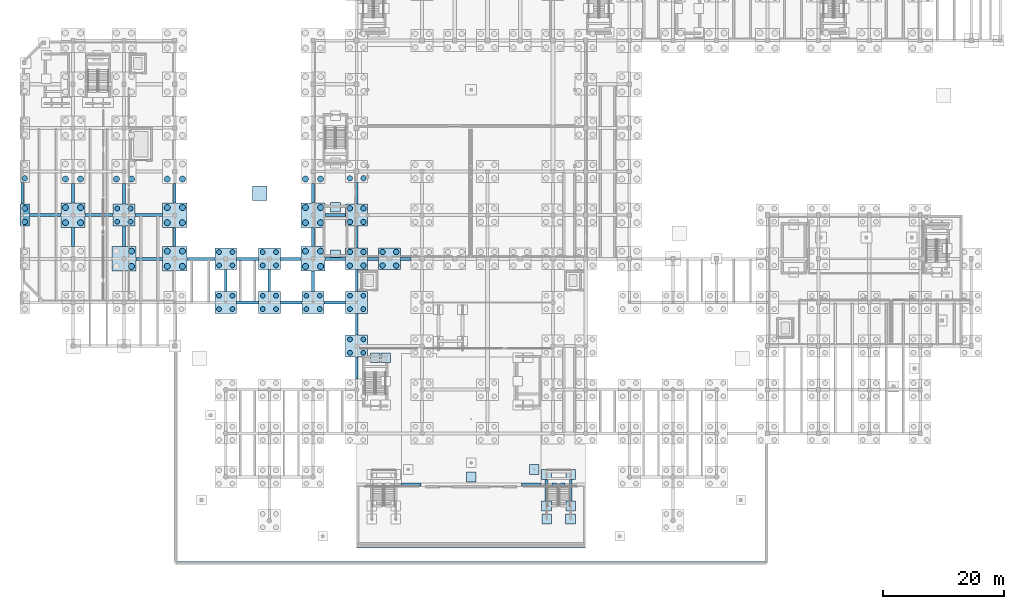
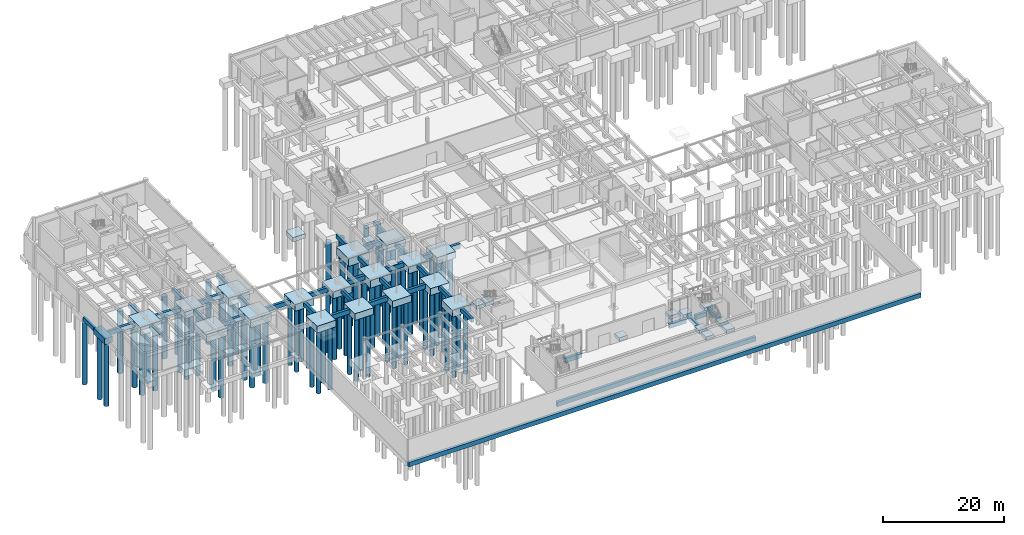
# One storey, part 2 of 46: 79 piles, 69 footings.
"""IFC4 building model written with IfcOpenShell, lengths in metres."""

from ifc_helpers import new_model, si_unit, direction, frame, origin, origin_2d, place, context, subcontext, project, spatial, rectangle, circle, extrude, material, material_profile, profile_set, type_object, element, save


model = new_model("IFC4")

# Units and contexts
model_context = context("Model", 3, precision=1e-05, world=origin(), true_north=direction((0.0, 1.0)))
body_context = subcontext(model_context, "Body", "Model", "MODEL_VIEW")
ifc_project = project(units=[si_unit("LENGTHUNIT", "METRE"), si_unit("AREAUNIT", "SQUARE_METRE"), si_unit("VOLUMEUNIT", "CUBIC_METRE"), si_unit("PLANEANGLEUNIT", "RADIAN"), si_unit("MASSUNIT", "GRAM", prefix="KILO")], contexts=[model_context])

# Site, building, storey
site_placement = place(None, origin())
site = spatial("IfcSite", under=ifc_project, at=site_placement, CompositionType="ELEMENT")
building_placement = place(site_placement, origin())
building = spatial("IfcBuilding", under=site, at=building_placement, Name="Tazoul Stagehouse", CompositionType="ELEMENT")
storey_placement = place(building_placement, frame((0.0, 0.0, -4.800048828125)))
storey = spatial("IfcBuildingStorey", under=building, at=storey_placement, Name="B1", CompositionType="ELEMENT", Elevation=-4.800048828125)

# Piles
ifc_material = material(Name="Concrete C35/45", Category="concrete")
ifc_material_profile_1 = material_profile(ifc_material, circle(Radius=0.5, at=origin_2d()), Name="BORED PILE 1000")
ifc_profile_set_1 = profile_set([ifc_material_profile_1], Name="Concrete C35/45")
pile_type_1 = type_object("IfcPileType", Name="Bored Cast-in-Place Concrete Pile D1000", PredefinedType="BORED", material=ifc_profile_set_1)
for number, where, z_axis, x_axis, name in (
    (1, (9.550048828125, 57.75, -1.449951171875), (0.0, 0.0, -1.0), (1.0, 0.0, 0.0), "Bored Pile PL-03 2/J-1"),
    (2, (12.050048828125, 57.75, -1.449951171875), (0.0, 0.0, -1.0), (1.0, 0.0, 0.0), "Bored Pile PL-03 2/J-2"),
    (3, (9.550048828125, 60.25, -1.449951171875), (0.0, 0.0, -1.0), (1.0, 0.0, 0.0), "Bored Pile PL-03 2/J-3"),
    (4, (12.050048828125, 60.25, -1.449951171875), (0.0, 0.0, -1.0), (1.0, 0.0, 0.0), "Bored Pile PL-03 2/J-4"),
    (5, (9.550048828125, 64.949951171875, -1.449951171875), (0.0, 0.0, -1.0), (1.0, 0.0, 0.0), "Bored Pile PL-03 2/K-1"),
    (6, (12.050048828125, 64.949951171875, -1.449951171875), (0.0, 0.0, -1.0), (1.0, 0.0, 0.0), "Bored Pile PL-03 2/K-2"),
    (7, (20.449951171875, 50.550048828125, -1.449951171875), (0.0, 0.0, -1.0), (1.0, 0.0, 0.0), "Bored Pile PL-03 3/H-2"),
    (8, (20.449951171875, 53.050048828125, -1.449951171875), (0.0, 0.0, -1.0), (1.0, 0.0, 0.0), "Bored Pile PL-03 3/H-4"),
    (9, (17.949951171875, 64.949951171875, -1.449951171875), (0.0, 0.0, -1.0), (1.0, 0.0, 0.0), "Bored Pile PL-03 3/K-1"),
    (10, (20.449951171875, 64.949951171875, -1.449951171875), (0.0, 0.0, -1.0), (1.0, 0.0, 0.0), "Bored Pile PL-03 3/K-2"),
    (11, (26.35009765625, 50.550048828125, -1.449951171875), (0.0, 0.0, -1.0), (1.0, 0.0, 0.0), "Bored Pile PL-03 4/H-1"),
    (12, (28.85009765625, 50.550048828125, -1.449951171875), (0.0, 0.0, -1.0), (1.0, 0.0, 0.0), "Bored Pile PL-03 4/H-2"),
    (13, (26.35009765625, 53.050048828125, -1.449951171875), (0.0, 0.0, -1.0), (1.0, 0.0, 0.0), "Bored Pile PL-03 4/H-3"),
    (14, (28.85009765625, 53.050048828125, -1.449951171875), (0.0, 0.0, -1.0), (1.0, 0.0, 0.0), "Bored Pile PL-03 4/H-4"),
    (15, (26.35009765625, 57.75, -1.449951171875), (0.0, 0.0, -1.0), (1.0, 0.0, 0.0), "Bored Pile PL-03 4/J-1"),
    (16, (28.85009765625, 57.75, -1.449951171875), (0.0, 0.0, -1.0), (1.0, 0.0, 0.0), "Bored Pile PL-03 4/J-2"),
    (17, (26.35009765625, 60.25, -1.449951171875), (0.0, 0.0, -1.0), (1.0, 0.0, 0.0), "Bored Pile PL-03 4/J-3"),
    (18, (28.85009765625, 60.25, -1.449951171875), (0.0, 0.0, -1.0), (1.0, 0.0, 0.0), "Bored Pile PL-03 4/J-4"),
    (19, (26.35009765625, 64.949951171875, -1.449951171875), (0.0, 0.0, -1.0), (1.0, 0.0, 0.0), "Bored Pile PL-03 4/K-1"),
    (20, (28.85009765625, 64.949951171875, -1.449951171875), (0.0, 0.0, -1.0), (1.0, 0.0, 0.0), "Bored Pile PL-03 4/K-2"),
    (21, (49.14990234375, 50.550048828125, -1.449951171875), (0.0, 0.0, -1.0), (1.0, 0.0, 0.0), "Bored Pile PL-03 7/H-1"),
    (22, (51.64990234375, 50.550048828125, -1.449951171875), (0.0, 0.0, -1.0), (1.0, 0.0, 0.0), "Bored Pile PL-03 7/H-2"),
    (23, (49.14990234375, 53.050048828125, -1.449951171875), (0.0, 0.0, -1.0), (1.0, 0.0, 0.0), "Bored Pile PL-03 7/H-3"),
    (24, (51.64990234375, 53.050048828125, -1.449951171875), (0.0, 0.0, -1.0), (1.0, 0.0, 0.0), "Bored Pile PL-03 7/H-4"),
    (25, (49.14990234375, 57.75, -1.449951171875), (0.0, 0.0, -1.0), (1.0, 0.0, 0.0), "Bored Pile PL-03 7/J-1"),
    (26, (51.64990234375, 57.75, -1.449951171875), (0.0, 0.0, -1.0), (1.0, 0.0, 0.0), "Bored Pile PL-03 7/J-2"),
    (27, (49.14990234375, 60.25, -1.449951171875), (0.0, 0.0, -1.0), (1.0, 0.0, 0.0), "Bored Pile PL-03 7/J-3"),
    (28, (51.64990234375, 60.25, -1.449951171875), (0.0, 0.0, -1.0), (1.0, 0.0, 0.0), "Bored Pile PL-03 7/J-4"),
    (29, (49.14990234375, 64.949951171875, -1.449951171875), (0.0, 0.0, -1.0), (1.0, 0.0, 0.0), "Bored Pile PL-03 7/K-1"),
    (30, (51.64990234375, 64.949951171875, -1.449951171875), (0.0, 0.0, -1.0), (1.0, 0.0, 0.0), "Bored Pile PL-03 7/K-2"),
):
    element("IfcPile", number, at=place(storey_placement, frame(where, z_axis=z_axis, x_axis=x_axis)), inside=storey, type_object=pile_type_1, Name=name, PredefinedType="BORED", context=body_context, shape_type="SweptSolid", body=[
        extrude(circle(Radius=0.5, at=origin_2d()), origin(), (0.0, 0.0, 1.0), 12.550048828125),
    ])
ifc_material_profile_2 = material_profile(ifc_material, circle(Radius=0.39990234375, at=origin_2d()), Name="BORED PILE 800")
ifc_profile_set_2 = profile_set([ifc_material_profile_2], Name="Concrete C35/45")
pile_type_2 = type_object("IfcPileType", Name="Bored Cast-in-Place Concrete Pile D800", PredefinedType="BORED", material=ifc_profile_set_2)
for number, where, z_axis, x_axis, name in (
    (31, (18.10009765625, 57.89990234375, -1.25), (0.0, 0.0, -1.0), (1.0, 0.0, 0.0), "Bored Pile PL-01 3/J-1"),
    (32, (20.300048828125, 57.89990234375, -1.25), (0.0, 0.0, -1.0), (1.0, 0.0, 0.0), "Bored Pile PL-01 3/J-2"),
    (33, (18.10009765625, 60.10009765625, -1.25), (0.0, 0.0, -1.0), (1.0, 0.0, 0.0), "Bored Pile PL-01 3/J-3"),
    (34, (20.300048828125, 60.10009765625, -1.25), (0.0, 0.0, -1.0), (1.0, 0.0, 0.0), "Bored Pile PL-01 3/J-4"),
    (35, (34.89990234375, 43.5, -1.25), (0.0, 0.0, -1.0), (1.0, 0.0, 0.0), "Bored Pile PL-01 5/G-1"),
    (36, (37.10009765625, 43.5, -1.25), (0.0, 0.0, -1.0), (1.0, 0.0, 0.0), "Bored Pile PL-01 5/G-2"),
    (37, (34.89990234375, 45.699951171875, -1.25), (0.0, 0.0, -1.0), (1.0, 0.0, 0.0), "Bored Pile PL-01 5/G-3"),
    (38, (37.10009765625, 45.699951171875, -1.25), (0.0, 0.0, -1.0), (1.0, 0.0, 0.0), "Bored Pile PL-01 5/G-4"),
    (39, (34.89990234375, 50.699951171875, -1.25), (0.0, 0.0, -1.0), (1.0, 0.0, 0.0), "Bored Pile PL-01 5/H-1"),
    (40, (37.10009765625, 50.699951171875, -1.25), (0.0, 0.0, -1.0), (1.0, 0.0, 0.0), "Bored Pile PL-01 5/H-2"),
    (41, (34.89990234375, 52.89990234375, -1.25), (0.0, 0.0, -1.0), (1.0, 0.0, 0.0), "Bored Pile PL-01 5/H-3"),
    (42, (37.10009765625, 52.89990234375, -1.25), (0.0, 0.0, -1.0), (1.0, 0.0, 0.0), "Bored Pile PL-01 5/H-4"),
    (43, (42.10009765625, 43.5, -1.25), (0.0, 0.0, -1.0), (1.0, 0.0, 0.0), "Bored Pile PL-01 6/G-1"),
    (44, (44.300048828125, 43.5, -1.25), (0.0, 0.0, -1.0), (1.0, 0.0, 0.0), "Bored Pile PL-01 6/G-2"),
    (45, (42.10009765625, 45.699951171875, -1.25), (0.0, 0.0, -1.0), (1.0, 0.0, 0.0), "Bored Pile PL-01 6/G-3"),
    (46, (44.300048828125, 45.699951171875, -1.25), (0.0, 0.0, -1.0), (1.0, 0.0, 0.0), "Bored Pile PL-01 6/G-4"),
    (47, (42.10009765625, 50.699951171875, -1.25), (0.0, 0.0, -1.0), (1.0, 0.0, 0.0), "Bored Pile PL-01 6/H-1"),
    (48, (44.300048828125, 50.699951171875, -1.25), (0.0, 0.0, -1.0), (1.0, 0.0, 0.0), "Bored Pile PL-01 6/H-2"),
    (49, (42.10009765625, 52.89990234375, -1.25), (0.0, 0.0, -1.0), (1.0, 0.0, 0.0), "Bored Pile PL-01 6/H-3"),
    (50, (44.300048828125, 52.89990234375, -1.25), (0.0, 0.0, -1.0), (1.0, 0.0, 0.0), "Bored Pile PL-01 6/H-4"),
    (51, (49.300048828125, 43.5, -1.25), (0.0, 0.0, -1.0), (1.0, 0.0, 0.0), "Bored Pile PL-01 7/G-1"),
    (52, (51.5, 43.5, -1.25), (0.0, 0.0, -1.0), (1.0, 0.0, 0.0), "Bored Pile PL-01 7/G-2"),
    (53, (49.300048828125, 45.699951171875, -1.25), (0.0, 0.0, -1.0), (1.0, 0.0, 0.0), "Bored Pile PL-01 7/G-3"),
    (54, (51.5, 45.699951171875, -1.25), (0.0, 0.0, -1.0), (1.0, 0.0, 0.0), "Bored Pile PL-01 7/G-4"),
    (55, (56.5, 36.300048828125, -1.25), (0.0, 0.0, -1.0), (1.0, 0.0, 0.0), "Bored Pile PL-01 8/F-1"),
    (56, (58.699951171875, 36.300048828125, -1.25), (0.0, 0.0, -1.0), (1.0, 0.0, 0.0), "Bored Pile PL-01 8/F-2"),
    (57, (56.5, 38.5, -1.25), (0.0, 0.0, -1.0), (1.0, 0.0, 0.0), "Bored Pile PL-01 8/F-3"),
    (58, (58.699951171875, 38.5, -1.25), (0.0, 0.0, -1.0), (1.0, 0.0, 0.0), "Bored Pile PL-01 8/F-4"),
    (59, (56.5, 43.5, -1.25), (0.0, 0.0, -1.0), (1.0, 0.0, 0.0), "Bored Pile PL-01 8/G-1"),
    (60, (58.699951171875, 43.5, -1.25), (0.0, 0.0, -1.0), (1.0, 0.0, 0.0), "Bored Pile PL-01 8/G-2"),
    (61, (56.5, 45.699951171875, -1.25), (0.0, 0.0, -1.0), (1.0, 0.0, 0.0), "Bored Pile PL-01 8/G-3"),
    (62, (58.699951171875, 45.699951171875, -1.25), (0.0, 0.0, -1.0), (1.0, 0.0, 0.0), "Bored Pile PL-01 8/G-4"),
):
    element("IfcPile", number, at=place(storey_placement, frame(where, z_axis=z_axis, x_axis=x_axis)), inside=storey, type_object=pile_type_2, Name=name, PredefinedType="BORED", context=body_context, shape_type="SweptSolid", body=[
        extrude(circle(Radius=0.39990234375, at=origin_2d()), origin(), (0.0, 0.0, 1.0), 12.75),
    ])
ifc_material_profile_3 = material_profile(ifc_material, circle(Radius=0.449951171875, at=origin_2d()), Name="BORED PILE 900")
ifc_profile_set_3 = profile_set([ifc_material_profile_3], Name="Concrete C35/45")
pile_type_3 = type_object("IfcPileType", Name="Bored Cast-in-Place Concrete Pile D900", PredefinedType="BORED", material=ifc_profile_set_3)
for number, where, z_axis, x_axis, name in (
    (63, (2.830078125, 57.875, -1.099853515625), (0.0, 0.0, -1.0), (1.0, 0.0, 0.0), "Bored Pile PL-02 1/J-1"),
    (64, (2.830078125, 60.125, -1.099853515625), (0.0, 0.0, -1.0), (1.0, 0.0, 0.0), "Bored Pile PL-02 1/J-2"),
    (65, (2.830078125, 65.074951171875, -1.099853515625), (0.0, 0.0, -1.0), (1.0, 0.0, 0.0), "Bored Pile PL-02 1/K-1"),
):
    element("IfcPile", number, at=place(storey_placement, frame(where, z_axis=z_axis, x_axis=x_axis)), inside=storey, type_object=pile_type_3, Name=name, PredefinedType="BORED", context=body_context, shape_type="SweptSolid", body=[
        extrude(circle(Radius=0.449951171875, at=origin_2d()), origin(), (0.0, 0.0, 1.0), 12.89990234375),
    ])
for number, where, z_axis, x_axis, name in (
    (66, (56.47509765625, 50.675048828125, -1.25), (0.0, 0.0, -1.0), (1.0, 0.0, 0.0), "Bored Pile PL-02 8/H-1"),
    (67, (58.72509765625, 50.675048828125, -1.25), (0.0, 0.0, -1.0), (1.0, 0.0, 0.0), "Bored Pile PL-02 8/H-2"),
    (68, (56.47509765625, 52.925048828125, -1.25), (0.0, 0.0, -1.0), (1.0, 0.0, 0.0), "Bored Pile PL-02 8/H-3"),
    (69, (58.72509765625, 52.925048828125, -1.25), (0.0, 0.0, -1.0), (1.0, 0.0, 0.0), "Bored Pile PL-02 8/H-4"),
    (70, (56.47509765625, 57.875, -1.25), (0.0, 0.0, -1.0), (1.0, 0.0, 0.0), "Bored Pile PL-02 8/J-1"),
    (71, (58.72509765625, 57.875, -1.25), (0.0, 0.0, -1.0), (1.0, 0.0, 0.0), "Bored Pile PL-02 8/J-2"),
    (72, (56.47509765625, 60.125, -1.25), (0.0, 0.0, -1.0), (1.0, 0.0, 0.0), "Bored Pile PL-02 8/J-3"),
    (73, (58.72509765625, 60.125, -1.25), (0.0, 0.0, -1.0), (1.0, 0.0, 0.0), "Bored Pile PL-02 8/J-4"),
    (74, (56.47509765625, 65.074951171875, -1.25), (0.0, 0.0, -1.0), (1.0, 0.0, 0.0), "Bored Pile PL-02 8/K-1"),
    (75, (58.72509765625, 65.074951171875, -1.25), (0.0, 0.0, -1.0), (1.0, 0.0, 0.0), "Bored Pile PL-02 8/K-2"),
    (76, (61.875, 50.675048828125, -1.25), (0.0, 0.0, -1.0), (1.0, 0.0, 0.0), "Bored Pile PL-02 9/H-1"),
    (77, (64.125, 50.675048828125, -1.25), (0.0, 0.0, -1.0), (1.0, 0.0, 0.0), "Bored Pile PL-02 9/H-2"),
    (78, (61.875, 52.925048828125, -1.25), (0.0, 0.0, -1.0), (1.0, 0.0, 0.0), "Bored Pile PL-02 9/H-3"),
    (79, (64.125, 52.925048828125, -1.25), (0.0, 0.0, -1.0), (1.0, 0.0, 0.0), "Bored Pile PL-02 9/H-4"),
):
    element("IfcPile", number, at=place(storey_placement, frame(where, z_axis=z_axis, x_axis=x_axis)), inside=storey, type_object=pile_type_3, Name=name, PredefinedType="BORED", context=body_context, shape_type="SweptSolid", body=[
        extrude(circle(Radius=0.449951171875, at=origin_2d()), origin(), (0.0, 0.0, 1.0), 12.75),
    ])

# Footings
footing_type_1 = type_object("IfcFootingType", Name="Four-Pile Cap 3600x3600x1350", PredefinedType="PILE_CAP", material=ifc_material)
for number, where, z_axis, x_axis, name in (
    (80, (19.199951171875, 59.0, -1.35009765625), (0.0, 0.0, 1.0), (1.0, 0.0, 0.0), "Pile Cap PC-04 at 3/J"),
    (81, (36.0, 44.60009765625, -1.35009765625), (0.0, 0.0, 1.0), (1.0, 0.0, 0.0), "Pile Cap PC-04 at 5/G"),
    (82, (36.0, 51.800048828125, -1.35009765625), (0.0, 0.0, 1.0), (1.0, 0.0, 0.0), "Pile Cap PC-04 at 5/H"),
    (83, (43.199951171875, 44.60009765625, -1.35009765625), (0.0, 0.0, 1.0), (1.0, 0.0, 0.0), "Pile Cap PC-04 at 6/G"),
    (84, (43.199951171875, 51.800048828125, -1.35009765625), (0.0, 0.0, 1.0), (1.0, 0.0, 0.0), "Pile Cap PC-04 at 6/H"),
    (85, (50.39990234375, 44.60009765625, -1.35009765625), (0.0, 0.0, 1.0), (1.0, 0.0, 0.0), "Pile Cap PC-04 at 7/G"),
    (86, (57.60009765625, 37.39990234375, -1.35009765625), (0.0, 0.0, 1.0), (1.0, 0.0, 0.0), "Pile Cap PC-04 at 8/F"),
    (87, (57.60009765625, 44.60009765625, -1.35009765625), (0.0, 0.0, 1.0), (1.0, 0.0, 0.0), "Pile Cap PC-04 at 8/G"),
    (88, (57.60009765625, 51.800048828125, -1.35009765625), (0.0, 0.0, 1.0), (1.0, 0.0, 0.0), "Pile Cap PC-04 at 8/H"),
    (89, (57.60009765625, 59.0, -1.35009765625), (0.0, 0.0, 1.0), (1.0, 0.0, 0.0), "Pile Cap PC-04 at 8/J"),
    (90, (63.0, 51.800048828125, -1.35009765625), (0.0, 0.0, 1.0), (1.0, 0.0, 0.0), "Pile Cap PC-04 at 9/H"),
):
    element("IfcFooting", number, at=place(storey_placement, frame(where, z_axis=z_axis, x_axis=x_axis)), inside=storey, type_object=footing_type_1, Name=name, PredefinedType="PILE_CAP", context=body_context, shape_type="SweptSolid", body=[
        extrude(rectangle(XDim=3.60009765625, YDim=3.60009765625, at=origin_2d()), origin(), (0.0, 0.0, 1.0), 1.35009765625),
    ])
footing_type_2 = type_object("IfcFootingType", Name="Four-Pile Cap 4000x4000x1550", PredefinedType="PILE_CAP", material=ifc_material)
for number, where, z_axis, x_axis, name in (
    (91, (10.800048828125, 59.0, -1.5498046875), (0.0, 0.0, 1.0), (1.0, 0.0, 0.0), "Pile Cap PC-06 at 2/J"),
    (92, (19.199951171875, 51.800048828125, -1.5498046875), (0.0, 0.0, 1.0), (1.0, 0.0, 0.0), "Pile Cap PC-06 at 3/H"),
    (93, (27.60009765625, 51.800048828125, -1.5498046875), (0.0, 0.0, 1.0), (1.0, 0.0, 0.0), "Pile Cap PC-06 at 4/H"),
    (94, (27.60009765625, 59.0, -1.5498046875), (0.0, 0.0, 1.0), (1.0, 0.0, 0.0), "Pile Cap PC-06 at 4/J"),
    (95, (50.39990234375, 51.800048828125, -1.5498046875), (0.0, 0.0, 1.0), (1.0, 0.0, 0.0), "Pile Cap PC-06 at 7/H"),
    (96, (50.39990234375, 59.0, -1.5498046875), (0.0, 0.0, 1.0), (1.0, 0.0, 0.0), "Pile Cap PC-06 at 7/J"),
):
    element("IfcFooting", number, at=place(storey_placement, frame(where, z_axis=z_axis, x_axis=x_axis)), inside=storey, type_object=footing_type_2, Name=name, PredefinedType="PILE_CAP", context=body_context, shape_type="SweptSolid", body=[
        extrude(rectangle(XDim=4.0, YDim=4.0, at=origin_2d()), origin(), (0.0, 0.0, 1.0), 1.550048828125),
    ])
ifc_material_profile_4 = material_profile(ifc_material, rectangle(XDim=0.449951171875, YDim=0.800048828125, at=origin_2d()), Name="RC 450x800")
ifc_profile_set_4 = profile_set([ifc_material_profile_4], Name="Concrete C35/45")
footing_type_3 = type_object("IfcFootingType", Name="Ground Tie Beam 450x800", PredefinedType="FOOTING_BEAM", material=ifc_profile_set_4)
footing_1_placement = place(storey_placement, frame((2.39990234375, 60.800048828125, -0.39990234375), z_axis=(0.0, 1.0, 0.0), x_axis=(-1.0, 0.0, 0.0)))
element("IfcFooting", 97, at=footing_1_placement, inside=storey, type_object=footing_type_3, Name="Ground Tie Beam GB-01 1/J-K", PredefinedType="FOOTING_BEAM", context=body_context, shape_type="SweptSolid", body=[
    extrude(rectangle(XDim=0.449951171875, YDim=0.800048828125, at=origin_2d()), origin(), (0.0, 0.0, 1.0), 3.599853515625),
])
for number, where, z_axis, x_axis, name in (
    (98, (10.800048828125, 53.800048828125, -0.39990234375), (0.0, 1.0, 0.0), (-1.0, 0.0, 0.0), "Ground Tie Beam GB-01 2/H-J"),
    (99, (10.800048828125, 61.0, -0.39990234375), (0.0, 1.0, 0.0), (-1.0, 0.0, 0.0), "Ground Tie Beam GB-01 2/J-K"),
):
    element("IfcFooting", number, at=place(storey_placement, frame(where, z_axis=z_axis, x_axis=x_axis)), inside=storey, type_object=footing_type_3, Name=name, PredefinedType="FOOTING_BEAM", context=body_context, shape_type="SweptSolid", body=[
        extrude(rectangle(XDim=0.449951171875, YDim=0.800048828125, at=origin_2d()), origin(), (0.0, 0.0, 1.0), 3.199951171875),
    ])
for number, where, z_axis, x_axis, name in (
    (100, (19.199951171875, 53.800048828125, -0.39990234375), (0.0, 1.0, 0.0), (-1.0, 0.0, 0.0), "Ground Tie Beam GB-01 3/H-J"),
    (101, (19.199951171875, 60.800048828125, -0.39990234375), (0.0, 1.0, 0.0), (-1.0, 0.0, 0.0), "Ground Tie Beam GB-01 3/J-K"),
):
    element("IfcFooting", number, at=place(storey_placement, frame(where, z_axis=z_axis, x_axis=x_axis)), inside=storey, type_object=footing_type_3, Name=name, PredefinedType="FOOTING_BEAM", context=body_context, shape_type="SweptSolid", body=[
        extrude(rectangle(XDim=0.449951171875, YDim=0.800048828125, at=origin_2d()), origin(), (0.0, 0.0, 1.0), 3.39990234375),
    ])
for number, where, z_axis, x_axis, name in (
    (102, (27.60009765625, 53.800048828125, -0.39990234375), (0.0, 1.0, 0.0), (-1.0, 0.0, 0.0), "Ground Tie Beam GB-01 4/H-J"),
    (103, (27.60009765625, 61.0, -0.39990234375), (0.0, 1.0, 0.0), (-1.0, 0.0, 0.0), "Ground Tie Beam GB-01 4/J-K"),
):
    element("IfcFooting", number, at=place(storey_placement, frame(where, z_axis=z_axis, x_axis=x_axis)), inside=storey, type_object=footing_type_3, Name=name, PredefinedType="FOOTING_BEAM", context=body_context, shape_type="SweptSolid", body=[
        extrude(rectangle(XDim=0.449951171875, YDim=0.800048828125, at=origin_2d()), origin(), (0.0, 0.0, 1.0), 3.199951171875),
    ])
for number, where, z_axis, x_axis, name in (
    (104, (36.0, 46.39990234375, -0.39990234375), (0.0, 1.0, 0.0), (-1.0, 0.0, 0.0), "Ground Tie Beam GB-01 5/G-H"),
    (105, (43.199951171875, 46.39990234375, -0.39990234375), (0.0, 1.0, 0.0), (-1.0, 0.0, 0.0), "Ground Tie Beam GB-01 6/G-H"),
):
    element("IfcFooting", number, at=place(storey_placement, frame(where, z_axis=z_axis, x_axis=x_axis)), inside=storey, type_object=footing_type_3, Name=name, PredefinedType="FOOTING_BEAM", context=body_context, shape_type="SweptSolid", body=[
        extrude(rectangle(XDim=0.449951171875, YDim=0.800048828125, at=origin_2d()), origin(), (0.0, 0.0, 1.0), 3.60009765625),
    ])
footing_2_placement = place(storey_placement, frame((50.39990234375, 46.39990234375, -0.39990234375), z_axis=(0.0, 1.0, 0.0), x_axis=(-1.0, 0.0, 0.0)))
element("IfcFooting", 106, at=footing_2_placement, inside=storey, type_object=footing_type_3, Name="Ground Tie Beam GB-01 7/G-H", PredefinedType="FOOTING_BEAM", context=body_context, shape_type="SweptSolid", body=[
    extrude(rectangle(XDim=0.449951171875, YDim=0.800048828125, at=origin_2d()), origin(), (0.0, 0.0, 1.0), 3.400146484375),
])
for number, where, z_axis, x_axis, name in (
    (107, (50.39990234375, 53.800048828125, -0.39990234375), (0.0, 1.0, 0.0), (-1.0, 0.0, 0.0), "Ground Tie Beam GB-01 7/H-J"),
    (108, (50.39990234375, 61.0, -0.39990234375), (0.0, 1.0, 0.0), (-1.0, 0.0, 0.0), "Ground Tie Beam GB-01 7/J-K"),
):
    element("IfcFooting", number, at=place(storey_placement, frame(where, z_axis=z_axis, x_axis=x_axis)), inside=storey, type_object=footing_type_3, Name=name, PredefinedType="FOOTING_BEAM", context=body_context, shape_type="SweptSolid", body=[
        extrude(rectangle(XDim=0.449951171875, YDim=0.800048828125, at=origin_2d()), origin(), (0.0, 0.0, 1.0), 3.199951171875),
    ])
for number, where, z_axis, x_axis, name in (
    (109, (57.60009765625, 32.0, -0.39990234375), (0.0, 1.0, 0.0), (-1.0, 0.0, 0.0), "Ground Tie Beam GB-01 8/E-F"),
    (110, (57.60009765625, 39.199951171875, -0.39990234375), (0.0, 1.0, 0.0), (-1.0, 0.0, 0.0), "Ground Tie Beam GB-01 8/F-G"),
    (111, (57.60009765625, 46.39990234375, -0.39990234375), (0.0, 1.0, 0.0), (-1.0, 0.0, 0.0), "Ground Tie Beam GB-01 8/G-H"),
):
    element("IfcFooting", number, at=place(storey_placement, frame(where, z_axis=z_axis, x_axis=x_axis)), inside=storey, type_object=footing_type_3, Name=name, PredefinedType="FOOTING_BEAM", context=body_context, shape_type="SweptSolid", body=[
        extrude(rectangle(XDim=0.449951171875, YDim=0.800048828125, at=origin_2d()), origin(), (0.0, 0.0, 1.0), 3.60009765625),
    ])
for number, where, z_axis, x_axis, name in (
    (112, (57.60009765625, 53.60009765625, -0.39990234375), (0.0, 1.0, 0.0), (-1.0, 0.0, 0.0), "Ground Tie Beam GB-01 8/H-J"),
    (113, (57.60009765625, 60.800048828125, -0.39990234375), (0.0, 1.0, 0.0), (-1.0, 0.0, 0.0), "Ground Tie Beam GB-01 8/J-K"),
):
    element("IfcFooting", number, at=place(storey_placement, frame(where, z_axis=z_axis, x_axis=x_axis)), inside=storey, type_object=footing_type_3, Name=name, PredefinedType="FOOTING_BEAM", context=body_context, shape_type="SweptSolid", body=[
        extrude(rectangle(XDim=0.449951171875, YDim=0.800048828125, at=origin_2d()), origin(), (0.0, 0.0, 1.0), 3.599853515625),
    ])
for number, where, z_axis, x_axis, name in (
    (114, (88.93994140625, 11.860107421875, -0.39990234375), (0.0, 1.0, 0.0), (-1.0, 0.0, 0.0), "Civic Stair Cheek Wall Strip Footing Beam GB-01 (ST-AMP-E-W)"),
    (115, (92.909912109375, 11.860107421875, -0.39990234375), (0.0, 1.0, 0.0), (-1.0, 0.0, 0.0), "Civic Stair Cheek Wall Strip Footing Beam GB-01 (ST-AMP-E-E)"),
):
    element("IfcFooting", number, at=place(storey_placement, frame(where, z_axis=z_axis, x_axis=x_axis)), inside=storey, type_object=footing_type_3, Name=name, PredefinedType="FOOTING_BEAM", context=body_context, shape_type="SweptSolid", body=[
        extrude(rectangle(XDim=0.449951171875, YDim=0.800048828125, at=origin_2d()), origin(), (0.0, 0.0, 1.0), 3.47998046875),
    ])
ifc_material_profile_5 = material_profile(ifc_material, rectangle(XDim=0.5, YDim=0.89990234375, at=origin_2d()), Name="RC 500x900")
ifc_profile_set_5 = profile_set([ifc_material_profile_5], Name="Concrete C35/45")
footing_type_4 = type_object("IfcFootingType", Name="Ground Tie Beam 500x900", PredefinedType="FOOTING_BEAM", material=ifc_profile_set_5)
footing_3_placement = place(storey_placement, frame((37.800048828125, 44.60009765625, -0.449951171875), z_axis=(1.0, 0.0, 0.0), x_axis=(0.0, 1.0, 0.0)))
element("IfcFooting", 116, at=footing_3_placement, inside=storey, type_object=footing_type_4, Name="Ground Tie Beam GB-02 G/5-6", PredefinedType="FOOTING_BEAM", context=body_context, shape_type="SweptSolid", body=[
    extrude(rectangle(XDim=0.5, YDim=0.89990234375, at=origin_2d()), origin(), (0.0, 0.0, 1.0), 3.599853515625),
])
for number, where, z_axis, x_axis, name in (
    (117, (45.0, 44.60009765625, -0.449951171875), (1.0, 0.0, 0.0), (0.0, 1.0, 0.0), "Ground Tie Beam GB-02 G/6-7"),
    (118, (52.199951171875, 44.60009765625, -0.449951171875), (1.0, 0.0, 0.0), (0.0, 1.0, 0.0), "Ground Tie Beam GB-02 G/7-8"),
):
    element("IfcFooting", number, at=place(storey_placement, frame(where, z_axis=z_axis, x_axis=x_axis)), inside=storey, type_object=footing_type_4, Name=name, PredefinedType="FOOTING_BEAM", context=body_context, shape_type="SweptSolid", body=[
        extrude(rectangle(XDim=0.5, YDim=0.89990234375, at=origin_2d()), origin(), (0.0, 0.0, 1.0), 3.60009765625),
    ])
footing_4_placement = place(storey_placement, frame((21.199951171875, 51.800048828125, -0.449951171875), z_axis=(1.0, 0.0, 0.0), x_axis=(0.0, 1.0, 0.0)))
element("IfcFooting", 119, at=footing_4_placement, inside=storey, type_object=footing_type_4, Name="Ground Tie Beam GB-02 H/3-4", PredefinedType="FOOTING_BEAM", context=body_context, shape_type="SweptSolid", body=[
    extrude(rectangle(XDim=0.5, YDim=0.89990234375, at=origin_2d()), origin(), (0.0, 0.0, 1.0), 4.400146484375),
])
footing_5_placement = place(storey_placement, frame((29.60009765625, 51.800048828125, -0.449951171875), z_axis=(1.0, 0.0, 0.0), x_axis=(0.0, 1.0, 0.0)))
element("IfcFooting", 120, at=footing_5_placement, inside=storey, type_object=footing_type_4, Name="Ground Tie Beam GB-02 H/4-5", PredefinedType="FOOTING_BEAM", context=body_context, shape_type="SweptSolid", body=[
    extrude(rectangle(XDim=0.5, YDim=0.89990234375, at=origin_2d()), origin(), (0.0, 0.0, 1.0), 4.599853515625),
])
footing_6_placement = place(storey_placement, frame((37.800048828125, 51.800048828125, -0.449951171875), z_axis=(1.0, 0.0, 0.0), x_axis=(0.0, 1.0, 0.0)))
element("IfcFooting", 121, at=footing_6_placement, inside=storey, type_object=footing_type_4, Name="Ground Tie Beam GB-02 H/5-6", PredefinedType="FOOTING_BEAM", context=body_context, shape_type="SweptSolid", body=[
    extrude(rectangle(XDim=0.5, YDim=0.89990234375, at=origin_2d()), origin(), (0.0, 0.0, 1.0), 3.599853515625),
])
footing_7_placement = place(storey_placement, frame((45.0, 51.800048828125, -0.449951171875), z_axis=(1.0, 0.0, 0.0), x_axis=(0.0, 1.0, 0.0)))
element("IfcFooting", 122, at=footing_7_placement, inside=storey, type_object=footing_type_4, Name="Ground Tie Beam GB-02 H/6-7", PredefinedType="FOOTING_BEAM", context=body_context, shape_type="SweptSolid", body=[
    extrude(rectangle(XDim=0.5, YDim=0.89990234375, at=origin_2d()), origin(), (0.0, 0.0, 1.0), 3.39990234375),
])
footing_8_placement = place(storey_placement, frame((52.39990234375, 51.800048828125, -0.449951171875), z_axis=(1.0, 0.0, 0.0), x_axis=(0.0, 1.0, 0.0)))
element("IfcFooting", 123, at=footing_8_placement, inside=storey, type_object=footing_type_4, Name="Ground Tie Beam GB-02 H/7-8", PredefinedType="FOOTING_BEAM", context=body_context, shape_type="SweptSolid", body=[
    extrude(rectangle(XDim=0.5, YDim=0.89990234375, at=origin_2d()), origin(), (0.0, 0.0, 1.0), 3.400146484375),
])
for number, where, z_axis, x_axis, name in (
    (124, (59.39990234375, 51.800048828125, -0.449951171875), (1.0, 0.0, 0.0), (0.0, 1.0, 0.0), "Ground Tie Beam GB-02 H/8-9"),
    (125, (64.800048828125, 51.800048828125, -0.449951171875), (1.0, 0.0, 0.0), (0.0, 1.0, 0.0), "Ground Tie Beam GB-02 H/9-10"),
):
    element("IfcFooting", number, at=place(storey_placement, frame(where, z_axis=z_axis, x_axis=x_axis)), inside=storey, type_object=footing_type_4, Name=name, PredefinedType="FOOTING_BEAM", context=body_context, shape_type="SweptSolid", body=[
        extrude(rectangle(XDim=0.5, YDim=0.89990234375, at=origin_2d()), origin(), (0.0, 0.0, 1.0), 1.800048828125),
    ])
footing_9_placement = place(storey_placement, frame((3.580078125, 59.0, -0.449951171875), z_axis=(1.0, 0.0, 0.0), x_axis=(0.0, 1.0, 0.0)))
element("IfcFooting", 126, at=footing_9_placement, inside=storey, type_object=footing_type_4, Name="Ground Tie Beam GB-02 J/1-2", PredefinedType="FOOTING_BEAM", context=body_context, shape_type="SweptSolid", body=[
    extrude(rectangle(XDim=0.5, YDim=0.89990234375, at=origin_2d()), origin(), (0.0, 0.0, 1.0), 5.219970703125),
])
footing_10_placement = place(storey_placement, frame((12.800048828125, 59.0, -0.449951171875), z_axis=(1.0, 0.0, 0.0), x_axis=(0.0, 1.0, 0.0)))
element("IfcFooting", 127, at=footing_10_placement, inside=storey, type_object=footing_type_4, Name="Ground Tie Beam GB-02 J/2-3", PredefinedType="FOOTING_BEAM", context=body_context, shape_type="SweptSolid", body=[
    extrude(rectangle(XDim=0.5, YDim=0.89990234375, at=origin_2d()), origin(), (0.0, 0.0, 1.0), 4.599853515625),
])
footing_11_placement = place(storey_placement, frame((21.0, 59.0, -0.449951171875), z_axis=(1.0, 0.0, 0.0), x_axis=(0.0, 1.0, 0.0)))
element("IfcFooting", 128, at=footing_11_placement, inside=storey, type_object=footing_type_4, Name="Ground Tie Beam GB-02 J/3-4", PredefinedType="FOOTING_BEAM", context=body_context, shape_type="SweptSolid", body=[
    extrude(rectangle(XDim=0.5, YDim=0.89990234375, at=origin_2d()), origin(), (0.0, 0.0, 1.0), 4.60009765625),
])
footing_12_placement = place(storey_placement, frame((52.39990234375, 59.0, -0.449951171875), z_axis=(1.0, 0.0, 0.0), x_axis=(0.0, 1.0, 0.0)))
element("IfcFooting", 129, at=footing_12_placement, inside=storey, type_object=footing_type_4, Name="Ground Tie Beam GB-02 J/7-8", PredefinedType="FOOTING_BEAM", context=body_context, shape_type="SweptSolid", body=[
    extrude(rectangle(XDim=0.5, YDim=0.89990234375, at=origin_2d()), origin(), (0.0, 0.0, 1.0), 3.400146484375),
])
footing_13_placement = place(storey_placement, frame((27.75, 1.580078125, -0.449951171875), z_axis=(1.0, 0.0, 0.0), x_axis=(0.0, 1.0, 0.0)))
element("IfcFooting", 130, at=footing_13_placement, inside=storey, type_object=footing_type_4, Name="Plinth Retaining Strip Footing Beam GB-02 (S-1)", PredefinedType="FOOTING_BEAM", context=body_context, shape_type="SweptSolid", body=[
    extrude(rectangle(XDim=0.5, YDim=0.89990234375, at=origin_2d()), origin(), (0.0, 0.0, 1.0), 97.5),
])
footing_14_placement = place(storey_placement, frame((57.60009765625, 4.35009765625, -0.449951171875), z_axis=(1.0, 0.0, 0.0), x_axis=(0.0, 1.0, 0.0)))
element("IfcFooting", 131, at=footing_14_placement, inside=storey, type_object=footing_type_4, Name="Plinth Retaining Strip Footing Beam GB-02 (M-1)", PredefinedType="FOOTING_BEAM", context=body_context, shape_type="SweptSolid", body=[
    extrude(rectangle(XDim=0.5, YDim=0.89990234375, at=origin_2d()), origin(), (0.0, 0.0, 1.0), 37.7998046875),
])
for number, where, z_axis, x_axis, name in (
    (132, (64.9599609375, 14.550048828125, -0.449951171875), (1.0, 0.0, 0.0), (0.0, 1.0, 0.0), "Plinth Retaining Strip Footing Beam GB-02 (N1-3)"),
    (133, (84.800048828125, 14.550048828125, -0.449951171875), (1.0, 0.0, 0.0), (0.0, 1.0, 0.0), "Plinth Retaining Strip Footing Beam GB-02 (N2-1)"),
):
    element("IfcFooting", number, at=place(storey_placement, frame(where, z_axis=z_axis, x_axis=x_axis)), inside=storey, type_object=footing_type_4, Name=name, PredefinedType="FOOTING_BEAM", context=body_context, shape_type="SweptSolid", body=[
        extrude(rectangle(XDim=0.5, YDim=0.89990234375, at=origin_2d()), origin(), (0.0, 0.0, 1.0), 3.239990234375),
    ])
footing_15_placement = place(storey_placement, frame((89.840087890625, 14.550048828125, -0.449951171875), z_axis=(1.0, 0.0, 0.0), x_axis=(0.0, 1.0, 0.0)))
element("IfcFooting", 134, at=footing_15_placement, inside=storey, type_object=footing_type_4, Name="Plinth Retaining Strip Footing Beam GB-02 (N2-2)", PredefinedType="FOOTING_BEAM", context=body_context, shape_type="SweptSolid", body=[
    extrude(rectangle(XDim=0.5, YDim=0.89990234375, at=origin_2d()), origin(), (0.0, 0.0, 1.0), 2.169921875),
])
footing_type_5 = type_object("IfcFootingType", Name="Spread Pad Footing 1600x1600x700", PredefinedType="PAD_FOOTING", material=ifc_material)
for number, where, z_axis, x_axis, name in (
    (135, (76.5, 15.800048828125, -0.69970703125), (0.0, 0.0, 1.0), (1.0, 0.0, 0.0), "Core Support Pad Footing PF-01 (COURT-MID)"),
    (136, (54.125, 52.489990234375, -0.69970703125), (0.0, 0.0, 1.0), (1.0, 0.0, 0.0), "Core Support Pad Footing PF-01 (C5U5)"),
    (137, (54.125, 60.2900390625, -0.69970703125), (0.0, 0.0, 1.0), (1.0, 0.0, 0.0), "Core Support Pad Footing PF-01 (C5U6)"),
    (138, (62.39990234375, 35.47998046875, -0.69970703125), (0.0, 0.0, 1.0), (1.0, 0.0, 0.0), "Core Support Pad Footing PF-01 (C8B2)"),
    (139, (60.675048828125, 35.47998046875, -0.69970703125), (0.0, 0.0, 1.0), (1.0, 0.0, 0.0), "Core Support Pad Footing PF-01 (C8B6)"),
    (140, (88.949951171875, 8.85009765625, -0.69970703125), (0.0, 0.0, 1.0), (1.0, 0.0, 0.0), "Plaza Stair Pavilion Pad Footing PF-01 (AMP-E-1)"),
    (141, (92.89990234375, 8.85009765625, -0.69970703125), (0.0, 0.0, 1.0), (1.0, 0.0, 0.0), "Plaza Stair Pavilion Pad Footing PF-01 (AMP-E-2)"),
    (142, (88.93994140625, 11.0, -0.69970703125), (0.0, 0.0, 1.0), (1.0, 0.0, 0.0), "Civic Stair Near Pad Footing PF-01 (ST-AMP-E-W)"),
    (143, (88.93994140625, 16.199951171875, -0.69970703125), (0.0, 0.0, 1.0), (1.0, 0.0, 0.0), "Civic Stair Far Pad Footing PF-01 (ST-AMP-E-W)"),
    (144, (92.909912109375, 11.0, -0.69970703125), (0.0, 0.0, 1.0), (1.0, 0.0, 0.0), "Civic Stair Near Pad Footing PF-01 (ST-AMP-E-E)"),
    (145, (92.909912109375, 16.199951171875, -0.69970703125), (0.0, 0.0, 1.0), (1.0, 0.0, 0.0), "Civic Stair Far Pad Footing PF-01 (ST-AMP-E-E)"),
    (146, (86.884765625, 17.030029296875, -0.69970703125), (0.0, 0.0, 1.0), (1.0, 0.0, 0.0), "Canopy Column Pad Footing PF-01 (V5-3)"),
):
    element("IfcFooting", number, at=place(storey_placement, frame(where, z_axis=z_axis, x_axis=x_axis)), inside=storey, type_object=footing_type_5, Name=name, PredefinedType="PAD_FOOTING", context=body_context, shape_type="SweptSolid", body=[
        extrude(rectangle(XDim=1.60009765625, YDim=1.60009765625, at=origin_2d()), origin(), (0.0, 0.0, 1.0), 0.699951171875),
    ])
footing_type_6 = type_object("IfcFootingType", Name="Spread Pad Footing 2400x2400x900", PredefinedType="PAD_FOOTING", material=ifc_material)
footing_16_placement = place(storey_placement, frame((41.60009765625, 62.60009765625, 3.5), z_axis=(0.0, 0.0, 1.0), x_axis=(1.0, 0.0, 0.0)))
element("IfcFooting", 147, at=footing_16_placement, inside=storey, type_object=footing_type_6, Name="West Court Auditorium Accessible Ramp Toe Foundation Pad PF-05", PredefinedType="PAD_FOOTING", context=body_context, shape_type="SweptSolid", body=[
    extrude(rectangle(XDim=2.39990234375, YDim=2.39990234375, at=origin_2d()), origin(), (0.0, 0.0, 1.0), 0.89990234375),
])
footing_type_7 = type_object("IfcFootingType", Name="Two-Pile Cap 1500x3600x1200", PredefinedType="PILE_CAP", material=ifc_material)
footing_17_placement = place(storey_placement, frame((2.830078125, 59.0, -1.19970703125), z_axis=(0.0, 0.0, 1.0), x_axis=(1.0, 0.0, 0.0)))
element("IfcFooting", 148, at=footing_17_placement, inside=storey, type_object=footing_type_7, Name="Pile Cap PC-02 at 1/J", PredefinedType="PILE_CAP", context=body_context, shape_type="SweptSolid", body=[
    extrude(rectangle(XDim=1.5, YDim=3.60009765625, at=origin_2d()), origin(), (0.0, 0.0, 1.0), 1.199951171875),
])

save(model, "model.ifc")
